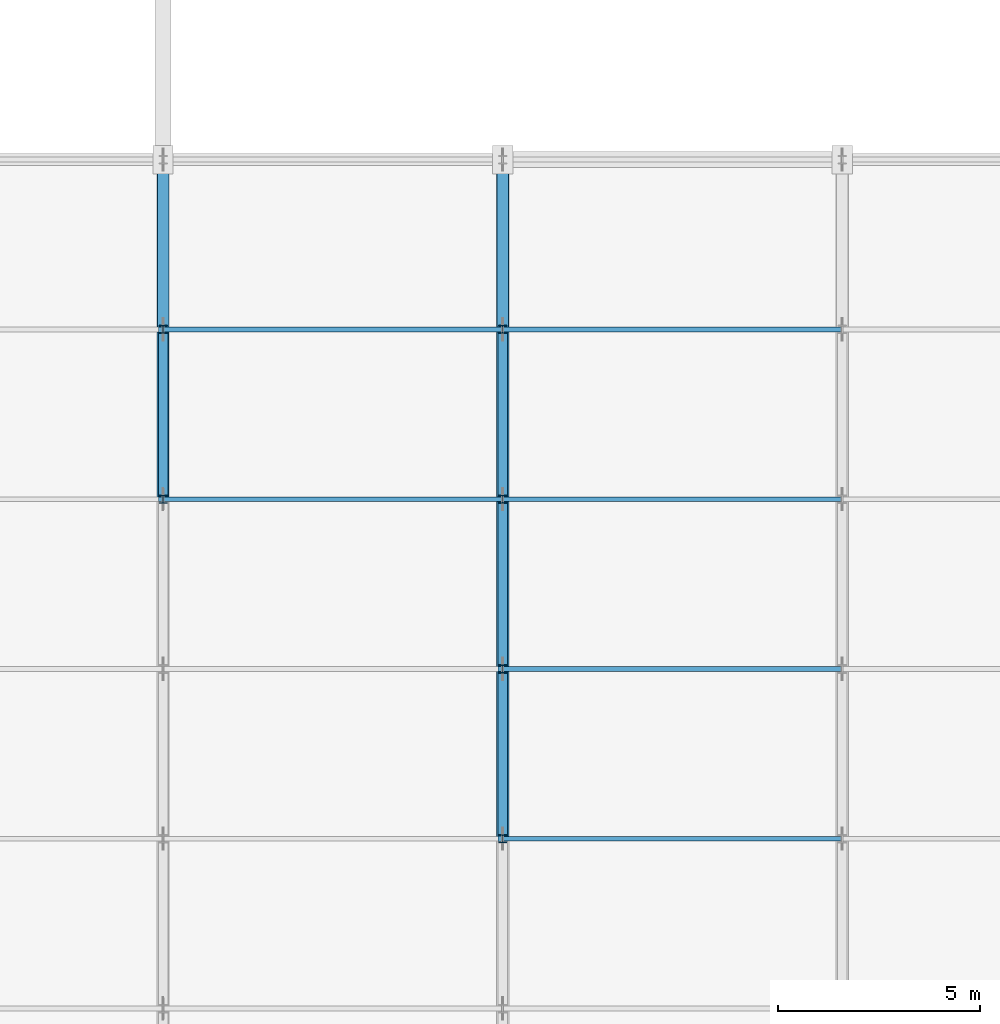
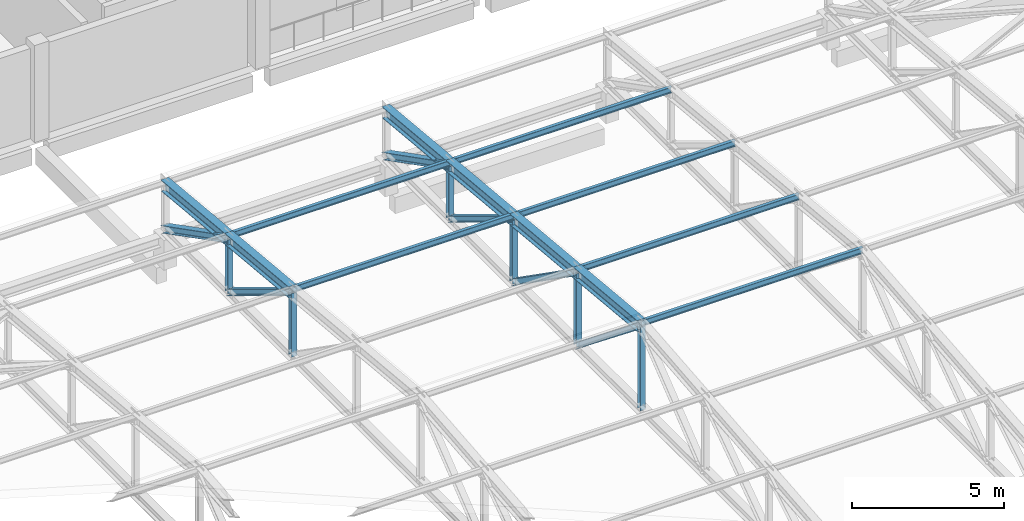
# One storey, part 19 of 74: 18 members, 6 beams.
"""IFC4 building model written with IfcOpenShell, lengths in metres."""

from ifc_helpers import new_model, si_unit, derived_unit, direction, frame, origin, origin_2d, place, context, subcontext, project, spatial, i_section, extrude, material, material_profile, profile_set, type_object, element, save


model = new_model("IFC4")

# Units and contexts
model_context = context("Model", 3, precision=1e-05, world=origin(), true_north=direction((0.0, 1.0)))
body_context = subcontext(model_context, "Body", "Model", "MODEL_VIEW")
ifc_project = project(units=[si_unit("LENGTHUNIT", "METRE"), si_unit("AREAUNIT", "SQUARE_METRE"), si_unit("VOLUMEUNIT", "CUBIC_METRE"), si_unit("PLANEANGLEUNIT", "RADIAN"), si_unit("MASSUNIT", "GRAM", prefix="KILO"), derived_unit("THERMALTRANSMITTANCEUNIT", [(si_unit("POWERUNIT", "WATT"), 1), (si_unit("LENGTHUNIT", "METRE"), -2), (si_unit("THERMODYNAMICTEMPERATUREUNIT", "KELVIN"), -1)])], contexts=[model_context])

# Site, building, storey
site_placement = place(None, origin())
site = spatial("IfcSite", under=ifc_project, at=site_placement, CompositionType="ELEMENT")
building_placement = place(site_placement, origin())
building = spatial("IfcBuilding", under=site, at=building_placement, Name="Elbkamm Science Centre", CompositionType="ELEMENT")
storey_placement = place(building_placement, frame((0.0, 0.0, 14.39990234375)))
storey = spatial("IfcBuildingStorey", under=building, at=storey_placement, Name="L03", CompositionType="ELEMENT", Elevation=14.39990234375)

# Beams
ifc_material = material(Name="Steel EN 10025-2 S355J2", Category="steel")
ifc_material_profile_1 = material_profile(ifc_material, i_section(OverallWidth=0.300048828125, OverallDepth=0.449951171875, WebThickness=0.013916015625, FlangeThickness=0.02587890625, FilletRadius=0.027099609375, at=origin_2d()), Name="HEB 450")
ifc_profile_set_1 = profile_set([ifc_material_profile_1], Name="Steel EN 10025-2 S355J2")
beam_type = type_object("IfcBeamType", Name="BM-STL-HEB450", PredefinedType="BEAM", material=ifc_profile_set_1)
beam_1_placement = place(storey_placement, frame((84.0, 25.199951171875, 3.951171875), z_axis=(0.0, 0.995557421336, -0.094156363687), x_axis=(-1.0, 0.0, 0.0)))
element("IfcBeam", 1, at=beam_1_placement, inside=storey, type_object=beam_type, Name="Theatre Steel Truss 03 Top Chord 7", PredefinedType="BEAM", context=body_context, shape_type="SweptSolid", body=[
    extrude(i_section(OverallWidth=0.300048828125, OverallDepth=0.449951171875, WebThickness=0.013916015625, FlangeThickness=0.02587890625, FilletRadius=0.027099609375, at=origin_2d()), origin(), (0.0, 0.0, 1.0), 4.21875),
])
beam_2_placement = place(storey_placement, frame((84.0, 29.39990234375, 3.553955078125), z_axis=(0.0, 0.995563356829, -0.094093583946), x_axis=(-1.0, 0.0, 0.0)))
element("IfcBeam", 2, at=beam_2_placement, inside=storey, type_object=beam_type, Name="Theatre Steel Truss 03 Top Chord 8", PredefinedType="BEAM", context=body_context, shape_type="SweptSolid", body=[
    extrude(i_section(OverallWidth=0.300048828125, OverallDepth=0.449951171875, WebThickness=0.013916015625, FlangeThickness=0.02587890625, FilletRadius=0.027099609375, at=origin_2d()), origin(), (0.0, 0.0, 1.0), 4.218994140625),
])
for number, where, z_axis, x_axis, name in (
    (3, (92.39990234375, 16.800048828125, 4.7451171875), (0.0, 0.995562844443, -0.094099005119), (-1.0, 0.0, 0.0), "Theatre Steel Truss 04 Top Chord 5"),
    (4, (92.39990234375, 21.0, 4.34814453125), (0.0, 0.995562844443, -0.094099005119), (-1.0, 0.0, 0.0), "Theatre Steel Truss 04 Top Chord 6"),
    (5, (92.39990234375, 25.199951171875, 3.951171875), (0.0, 0.995557421336, -0.094156363687), (-1.0, 0.0, 0.0), "Theatre Steel Truss 04 Top Chord 7"),
):
    element("IfcBeam", number, at=place(storey_placement, frame(where, z_axis=z_axis, x_axis=x_axis)), inside=storey, type_object=beam_type, Name=name, PredefinedType="BEAM", context=body_context, shape_type="SweptSolid", body=[
        extrude(i_section(OverallWidth=0.300048828125, OverallDepth=0.449951171875, WebThickness=0.013916015625, FlangeThickness=0.02587890625, FilletRadius=0.027099609375, at=origin_2d()), origin(), (0.0, 0.0, 1.0), 4.21875),
    ])
beam_3_placement = place(storey_placement, frame((92.39990234375, 29.39990234375, 3.553955078125), z_axis=(0.0, 0.995563356829, -0.094093583946), x_axis=(-1.0, 0.0, 0.0)))
element("IfcBeam", 6, at=beam_3_placement, inside=storey, type_object=beam_type, Name="Theatre Steel Truss 04 Top Chord 8", PredefinedType="BEAM", context=body_context, shape_type="SweptSolid", body=[
    extrude(i_section(OverallWidth=0.300048828125, OverallDepth=0.449951171875, WebThickness=0.013916015625, FlangeThickness=0.02587890625, FilletRadius=0.027099609375, at=origin_2d()), origin(), (0.0, 0.0, 1.0), 4.218994140625),
])

# Members
ifc_material_profile_2 = material_profile(ifc_material, i_section(OverallWidth=0.239990234375, OverallDepth=0.22998046875, WebThickness=0.007568359375, FlangeThickness=0.011962890625, FilletRadius=0.02099609375, at=origin_2d()), Name="HEA 240")
ifc_profile_set_2 = profile_set([ifc_material_profile_2], Name="Steel EN 10025-2 S355J2")
member_type_1 = type_object("IfcMemberType", Name="MEM-BRACE-HEA240", PredefinedType="BRACE", material=ifc_profile_set_2)
member_1_placement = place(storey_placement, frame((84.0, 25.199951171875, 3.951171875), z_axis=(0.0, 0.854692256273, -0.519134998884), x_axis=(-1.0, 0.0, 0.0)))
element("IfcMember", 7, at=member_1_placement, inside=storey, type_object=member_type_1, Name="Theatre Steel Truss 03 Diagonal Brace 7", PredefinedType="BRACE", context=body_context, shape_type="SweptSolid", body=[
    extrude(i_section(OverallWidth=0.239990234375, OverallDepth=0.22998046875, WebThickness=0.007568359375, FlangeThickness=0.011962890625, FilletRadius=0.02099609375, at=origin_2d()), origin(), (0.0, 0.0, 1.0), 4.9140625),
])
member_2_placement = place(storey_placement, frame((92.39990234375, 16.800048828125, 4.7451171875), z_axis=(0.0, 0.782228850419, -0.62299119221), x_axis=(-1.0, 0.0, 0.0)))
element("IfcMember", 8, at=member_2_placement, inside=storey, type_object=member_type_1, Name="Theatre Steel Truss 04 Diagonal Brace 5", PredefinedType="BRACE", context=body_context, shape_type="SweptSolid", body=[
    extrude(i_section(OverallWidth=0.239990234375, OverallDepth=0.22998046875, WebThickness=0.007568359375, FlangeThickness=0.011962890625, FilletRadius=0.02099609375, at=origin_2d()), origin(), (0.0, 0.0, 1.0), 5.369140625),
])
member_3_placement = place(storey_placement, frame((92.39990234375, 21.0, 4.34814453125), z_axis=(0.0, 0.818495853112, -0.574512435408), x_axis=(-1.0, 0.0, 0.0)))
element("IfcMember", 9, at=member_3_placement, inside=storey, type_object=member_type_1, Name="Theatre Steel Truss 04 Diagonal Brace 6", PredefinedType="BRACE", context=body_context, shape_type="SweptSolid", body=[
    extrude(i_section(OverallWidth=0.239990234375, OverallDepth=0.22998046875, WebThickness=0.007568359375, FlangeThickness=0.011962890625, FilletRadius=0.02099609375, at=origin_2d()), origin(), (0.0, 0.0, 1.0), 5.13134765625),
])
member_4_placement = place(storey_placement, frame((92.39990234375, 25.199951171875, 3.951171875), z_axis=(0.0, 0.854692256273, -0.519134998884), x_axis=(-1.0, 0.0, 0.0)))
element("IfcMember", 10, at=member_4_placement, inside=storey, type_object=member_type_1, Name="Theatre Steel Truss 04 Diagonal Brace 7", PredefinedType="BRACE", context=body_context, shape_type="SweptSolid", body=[
    extrude(i_section(OverallWidth=0.239990234375, OverallDepth=0.22998046875, WebThickness=0.007568359375, FlangeThickness=0.011962890625, FilletRadius=0.02099609375, at=origin_2d()), origin(), (0.0, 0.0, 1.0), 4.9140625),
])
ifc_material_profile_3 = material_profile(ifc_material, i_section(OverallWidth=0.280029296875, OverallDepth=0.27001953125, WebThickness=0.008056640625, FlangeThickness=0.012939453125, FilletRadius=0.02392578125, at=origin_2d()), Name="HEA 280")
ifc_profile_set_3 = profile_set([ifc_material_profile_3], Name="Steel EN 10025-2 S355J2")
member_type_2 = type_object("IfcMemberType", Name="MEM-BRACE-HEA280", PredefinedType="BRACE", material=ifc_profile_set_3)
for number, where, z_axis, x_axis, name in (
    (11, (84.0, 29.39990234375, 3.553955078125), (0.0, 0.889829309355, -0.456293546101), (-1.0, 0.0, 0.0), "Theatre Steel Truss 03 Diagonal Brace 8"),
    (12, (92.39990234375, 29.39990234375, 3.553955078125), (0.0, 0.889829309355, -0.456293546101), (-1.0, 0.0, 0.0), "Theatre Steel Truss 04 Diagonal Brace 8"),
):
    element("IfcMember", number, at=place(storey_placement, frame(where, z_axis=z_axis, x_axis=x_axis)), inside=storey, type_object=member_type_2, Name=name, PredefinedType="BRACE", context=body_context, shape_type="SweptSolid", body=[
        extrude(i_section(OverallWidth=0.280029296875, OverallDepth=0.27001953125, WebThickness=0.008056640625, FlangeThickness=0.012939453125, FilletRadius=0.02392578125, at=origin_2d()), origin(), (0.0, 0.0, 1.0), 4.72021484375),
    ])
ifc_material_profile_4 = material_profile(ifc_material, i_section(OverallWidth=0.1201171875, OverallDepth=0.239990234375, WebThickness=0.006103515625, FlangeThickness=0.009765625, FilletRadius=0.014892578125, at=origin_2d()), Name="IPE 240")
ifc_profile_set_4 = profile_set([ifc_material_profile_4], Name="Steel EN 10025-2 S355J2")
member_type_3 = type_object("IfcMemberType", Name="MEM-PURLIN-IPE240", PredefinedType="PURLIN", material=ifc_profile_set_4)
for number, where, z_axis, x_axis, name in (
    (13, (84.0, 25.199951171875, 4.051025390625), (1.0, 0.0, 0.0), (0.0, 1.0, 0.0), "Theatre Roof Purlin Bay 3-7"),
    (14, (84.0, 29.39990234375, 3.654052734375), (1.0, 0.0, 0.0), (0.0, 1.0, 0.0), "Theatre Roof Purlin Bay 3-8"),
):
    element("IfcMember", number, at=place(storey_placement, frame(where, z_axis=z_axis, x_axis=x_axis)), inside=storey, type_object=member_type_3, Name=name, PredefinedType="PURLIN", context=body_context, shape_type="SweptSolid", body=[
        extrude(i_section(OverallWidth=0.1201171875, OverallDepth=0.239990234375, WebThickness=0.006103515625, FlangeThickness=0.009765625, FilletRadius=0.014892578125, at=origin_2d()), origin(), (0.0, 0.0, 1.0), 8.39990234375),
    ])
for number, where, z_axis, x_axis, name in (
    (15, (92.39990234375, 16.800048828125, 4.84521484375), (1.0, 0.0, 0.0), (0.0, 1.0, 0.0), "Theatre Roof Purlin Bay 4-5"),
    (16, (92.39990234375, 21.0, 4.447998046875), (1.0, 0.0, 0.0), (0.0, 1.0, 0.0), "Theatre Roof Purlin Bay 4-6"),
    (17, (92.39990234375, 25.199951171875, 4.051025390625), (1.0, 0.0, 0.0), (0.0, 1.0, 0.0), "Theatre Roof Purlin Bay 4-7"),
    (18, (92.39990234375, 29.39990234375, 3.654052734375), (1.0, 0.0, 0.0), (0.0, 1.0, 0.0), "Theatre Roof Purlin Bay 4-8"),
):
    element("IfcMember", number, at=place(storey_placement, frame(where, z_axis=z_axis, x_axis=x_axis)), inside=storey, type_object=member_type_3, Name=name, PredefinedType="PURLIN", context=body_context, shape_type="SweptSolid", body=[
        extrude(i_section(OverallWidth=0.1201171875, OverallDepth=0.239990234375, WebThickness=0.006103515625, FlangeThickness=0.009765625, FilletRadius=0.014892578125, at=origin_2d()), origin(), (0.0, 0.0, 1.0), 8.400146484375),
    ])
ifc_material_profile_5 = material_profile(ifc_material, i_section(OverallWidth=0.199951171875, OverallDepth=0.199951171875, WebThickness=0.009033203125, FlangeThickness=0.014892578125, FilletRadius=0.01806640625, at=origin_2d()), Name="HEB 200")
ifc_profile_set_5 = profile_set([ifc_material_profile_5], Name="Steel EN 10025-2 S355J2")
member_type_4 = type_object("IfcMemberType", Name="MEM-STRUT-HEB200", PredefinedType="STRUT", material=ifc_profile_set_5)
member_5_placement = place(storey_placement, frame((84.0, 25.199951171875, 1.400146484375), z_axis=(0.0, 0.0, 1.0), x_axis=(1.0, 0.0, 0.0)))
element("IfcMember", 19, at=member_5_placement, inside=storey, type_object=member_type_4, Name="Theatre Steel Truss 03 Vertical Strut 7", PredefinedType="STRUT", context=body_context, shape_type="SweptSolid", body=[
    extrude(i_section(OverallWidth=0.199951171875, OverallDepth=0.199951171875, WebThickness=0.009033203125, FlangeThickness=0.014892578125, FilletRadius=0.01806640625, at=origin_2d()), origin(), (0.0, 0.0, 1.0), 2.551025390625),
])
member_6_placement = place(storey_placement, frame((84.0, 29.39990234375, 1.400146484375), z_axis=(0.0, 0.0, 1.0), x_axis=(1.0, 0.0, 0.0)))
element("IfcMember", 20, at=member_6_placement, inside=storey, type_object=member_type_4, Name="Theatre Steel Truss 03 Vertical Strut 8", PredefinedType="STRUT", context=body_context, shape_type="SweptSolid", body=[
    extrude(i_section(OverallWidth=0.199951171875, OverallDepth=0.199951171875, WebThickness=0.009033203125, FlangeThickness=0.014892578125, FilletRadius=0.01806640625, at=origin_2d()), origin(), (0.0, 0.0, 1.0), 2.15380859375),
])
member_7_placement = place(storey_placement, frame((92.39990234375, 16.800048828125, 1.400146484375), z_axis=(0.0, 0.0, 1.0), x_axis=(1.0, 0.0, 0.0)))
element("IfcMember", 21, at=member_7_placement, inside=storey, type_object=member_type_4, Name="Theatre Steel Truss 04 Vertical Strut 5", PredefinedType="STRUT", context=body_context, shape_type="SweptSolid", body=[
    extrude(i_section(OverallWidth=0.199951171875, OverallDepth=0.199951171875, WebThickness=0.009033203125, FlangeThickness=0.014892578125, FilletRadius=0.01806640625, at=origin_2d()), origin(), (0.0, 0.0, 1.0), 3.344970703125),
])
member_8_placement = place(storey_placement, frame((92.39990234375, 21.0, 1.400146484375), z_axis=(0.0, 0.0, 1.0), x_axis=(1.0, 0.0, 0.0)))
element("IfcMember", 22, at=member_8_placement, inside=storey, type_object=member_type_4, Name="Theatre Steel Truss 04 Vertical Strut 6", PredefinedType="STRUT", context=body_context, shape_type="SweptSolid", body=[
    extrude(i_section(OverallWidth=0.199951171875, OverallDepth=0.199951171875, WebThickness=0.009033203125, FlangeThickness=0.014892578125, FilletRadius=0.01806640625, at=origin_2d()), origin(), (0.0, 0.0, 1.0), 2.947998046875),
])
member_9_placement = place(storey_placement, frame((92.39990234375, 25.199951171875, 1.400146484375), z_axis=(0.0, 0.0, 1.0), x_axis=(1.0, 0.0, 0.0)))
element("IfcMember", 23, at=member_9_placement, inside=storey, type_object=member_type_4, Name="Theatre Steel Truss 04 Vertical Strut 7", PredefinedType="STRUT", context=body_context, shape_type="SweptSolid", body=[
    extrude(i_section(OverallWidth=0.199951171875, OverallDepth=0.199951171875, WebThickness=0.009033203125, FlangeThickness=0.014892578125, FilletRadius=0.01806640625, at=origin_2d()), origin(), (0.0, 0.0, 1.0), 2.551025390625),
])
member_10_placement = place(storey_placement, frame((92.39990234375, 29.39990234375, 1.400146484375), z_axis=(0.0, 0.0, 1.0), x_axis=(1.0, 0.0, 0.0)))
element("IfcMember", 24, at=member_10_placement, inside=storey, type_object=member_type_4, Name="Theatre Steel Truss 04 Vertical Strut 8", PredefinedType="STRUT", context=body_context, shape_type="SweptSolid", body=[
    extrude(i_section(OverallWidth=0.199951171875, OverallDepth=0.199951171875, WebThickness=0.009033203125, FlangeThickness=0.014892578125, FilletRadius=0.01806640625, at=origin_2d()), origin(), (0.0, 0.0, 1.0), 2.15380859375),
])

save(model, "model.ifc")
